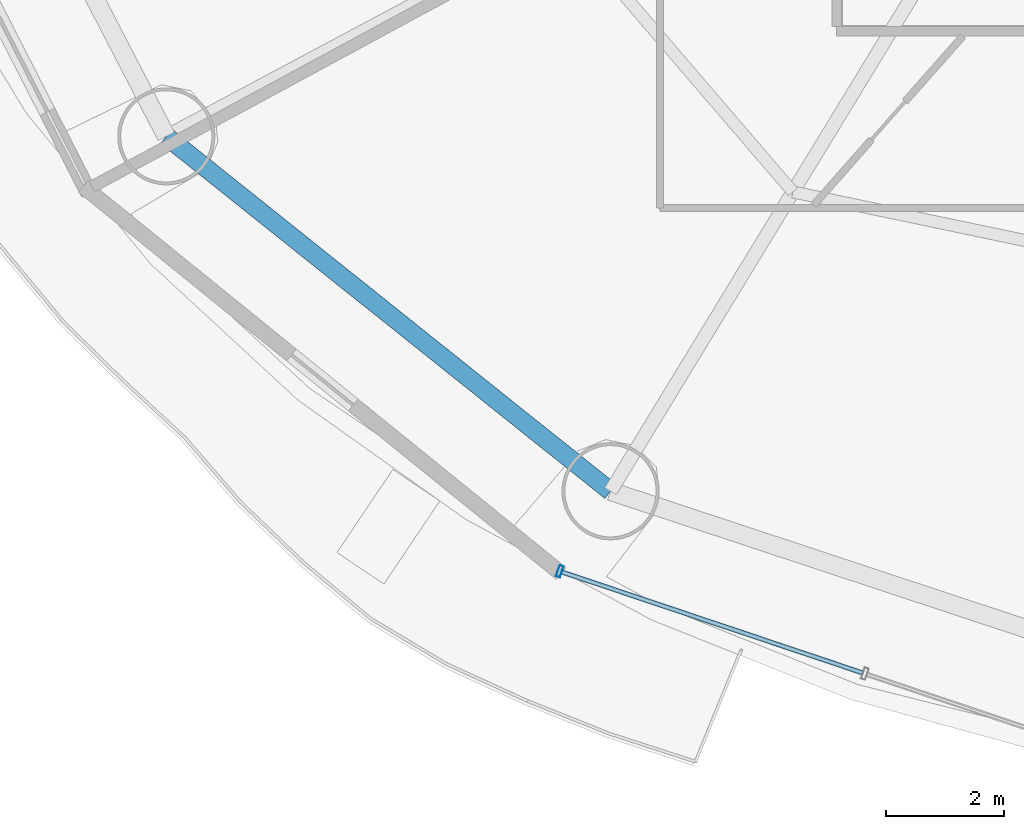
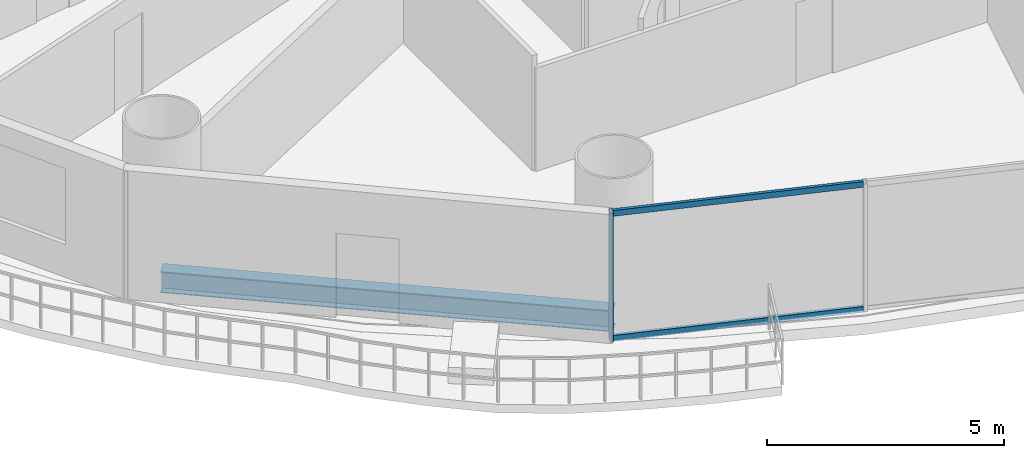
# One storey, part 2 of 29: 3 members, 1 beam, 1 element without a shape of its own.
"""IFC4 building model written with IfcOpenShell, lengths in metres."""

from ifc_helpers import new_model, si_unit, direction, frame, origin, origin_2d, place, context, subcontext, project, spatial, hollow_rectangle, i_section, extrude, source, transform, mapped, material, material_profile, profile_set, type_object, element, aggregate, save


model = new_model("IFC4")

# Units and contexts
model_context = context("Model", 3, precision=1e-05, world=origin(), true_north=direction((-0.2419218956, 0.970295726276)))
body_context = subcontext(model_context, "Body", "Model", "MODEL_VIEW")
ifc_project = project(units=[si_unit("LENGTHUNIT", "METRE"), si_unit("AREAUNIT", "SQUARE_METRE"), si_unit("VOLUMEUNIT", "CUBIC_METRE"), si_unit("PLANEANGLEUNIT", "RADIAN"), si_unit("MASSUNIT", "GRAM", prefix="KILO")], contexts=[model_context])

# Site, building, storey
site_placement = place(None, origin())
site = spatial("IfcSite", under=ifc_project, at=site_placement, CompositionType="ELEMENT")
building_placement = place(site_placement, origin())
building = spatial("IfcBuilding", under=site, at=building_placement, Name="Cobrevalo Terracotta Tower", CompositionType="ELEMENT")
storey_placement = place(building_placement, frame((0.0, 0.0, 67.199951171875)))
storey = spatial("IfcBuildingStorey", under=building, at=storey_placement, Name="L17", CompositionType="ELEMENT", Elevation=67.199951171875)

# Beam
ifc_material_1 = material(Name="Steel S355", Category="steel")
ifc_material_profile_1 = material_profile(ifc_material_1, i_section(OverallWidth=0.31201171875, OverallDepth=0.54296875, WebThickness=0.0126953125, FlangeThickness=0.020263671875, at=origin_2d()), Name="W 530x150")
ifc_profile_set_1 = profile_set([ifc_material_profile_1], Name="Steel S355")
beam_type = type_object("IfcBeamType", Name="Structural Spandrel W 530x150 (Steel S355)", PredefinedType="SPANDREL", material=ifc_profile_set_1)
beam_placement = place(storey_placement, frame((15.25927734375, 14.660888671875, -0.551513671875), z_axis=(0.781280479891, -0.62418011162, 0.0), x_axis=(0.62418011162, 0.781280479891, 0.0)))
element("IfcBeam", 1, at=beam_placement, inside=storey, type_object=beam_type, Name="L17 perimeter ring spandrel 10", PredefinedType="SPANDREL", context=body_context, shape_type="SweptSolid", body=[
    extrude(i_section(OverallWidth=0.31201171875, OverallDepth=0.54296875, WebThickness=0.0126953125, FlangeThickness=0.020263671875, at=origin_2d()), origin(), (0.0, 0.0, 1.0), 9.658447265625),
])

# Curtain wall, members
ifc_material_2 = material(Name="Anodized aluminium", Category="aluminium")
curtain_wall_type = type_object("IfcCurtainWallType", Name="Lower-tower unitised acoustic low-E curtain wall CW-U1", PredefinedType="NOTDEFINED", material=ifc_material_2)
curtain_wall_placement = place(storey_placement, origin())
curtain_wall = element("IfcCurtainWall", 2, at=curtain_wall_placement, inside=storey, type_object=curtain_wall_type, Name="L17 curtain wall CW-L17-S11", PredefinedType="NOTDEFINED")
ifc_material_profile_2 = material_profile(ifc_material_2, hollow_rectangle(XDim=0.074951171875, YDim=0.199951171875, WallThickness=0.0048828125, at=origin_2d()), Name="CWM 75x200")
ifc_profile_set_2 = profile_set([ifc_material_profile_2], Name="Anodized aluminium")
member_type_1 = type_object("IfcMemberType", Name="Lower/mid tower unitised mullion 75x200", PredefinedType="MULLION", material=ifc_profile_set_2)
shared_shape_1 = source(origin(), body_context, "Body", "SweptSolid", [
    extrude(hollow_rectangle(XDim=0.074951171875, YDim=0.199951171875, WallThickness=0.0048828125, at=origin_2d()), origin(), (0.0, 0.0, 1.0), 3.320068359375),
])
member_1_placement = place(storey_placement, frame((21.943115234375, 7.272705078125, 0.0), z_axis=(0.0, 0.0, 1.0), x_axis=(0.948046393597, -0.318132103987, 0.0)))
member_1 = element("IfcMember", 3, at=member_1_placement, type_object=member_type_1, Name="CW-L17-S11 vertical mullion 01", PredefinedType="MULLION", context=body_context, shape_type="MappedRepresentation", body=[
    mapped(shared_shape_1, transform((0.0, 0.0, 0.0), scale=1.0)),
])
ifc_material_profile_3 = material_profile(ifc_material_2, hollow_rectangle(XDim=0.074951171875, YDim=0.14990234375, WallThickness=0.00439453125, at=origin_2d()), Name="CWT 75x150")
ifc_profile_set_3 = profile_set([ifc_material_profile_3], Name="Anodized aluminium")
member_type_2 = type_object("IfcMemberType", Name="Tower unitised aluminium transom 75x150", PredefinedType="USERDEFINED", material=ifc_profile_set_3)
shared_shape_2 = source(origin(), body_context, "Body", "SweptSolid", [
    extrude(hollow_rectangle(XDim=0.074951171875, YDim=0.14990234375, WallThickness=0.00439453125, at=origin_2d()), origin(), (0.0, 0.0, 1.0), 5.387939453125),
])
member_2_placement = place(storey_placement, frame((21.98095703125, 7.260009765625, 0.050048828125), z_axis=(0.94804244582, -0.318143868278, 0.0), x_axis=(0.318143868278, 0.94804244582, 0.0)))
member_2 = element("IfcMember", 4, at=member_2_placement, type_object=member_type_2, Name="CW-L17-S11 transom B01-T1", ObjectType="TRANSOM", PredefinedType="USERDEFINED", context=body_context, shape_type="MappedRepresentation", body=[
    mapped(shared_shape_2, transform((0.0, 0.0, 0.0), scale=1.0)),
])
member_3_placement = place(storey_placement, frame((21.98095703125, 7.260009765625, 3.27001953125), z_axis=(0.94804244582, -0.318143868278, 0.0), x_axis=(0.318143868278, 0.94804244582, 0.0)))
member_3 = element("IfcMember", 5, at=member_3_placement, type_object=member_type_2, Name="CW-L17-S11 transom B01-T2", ObjectType="TRANSOM", PredefinedType="USERDEFINED", context=body_context, shape_type="MappedRepresentation", body=[
    mapped(shared_shape_2, transform((0.0, 0.0, 0.0), scale=1.0)),
])
aggregate(curtain_wall, [member_1, member_2, member_3])

save(model, "model.ifc")
